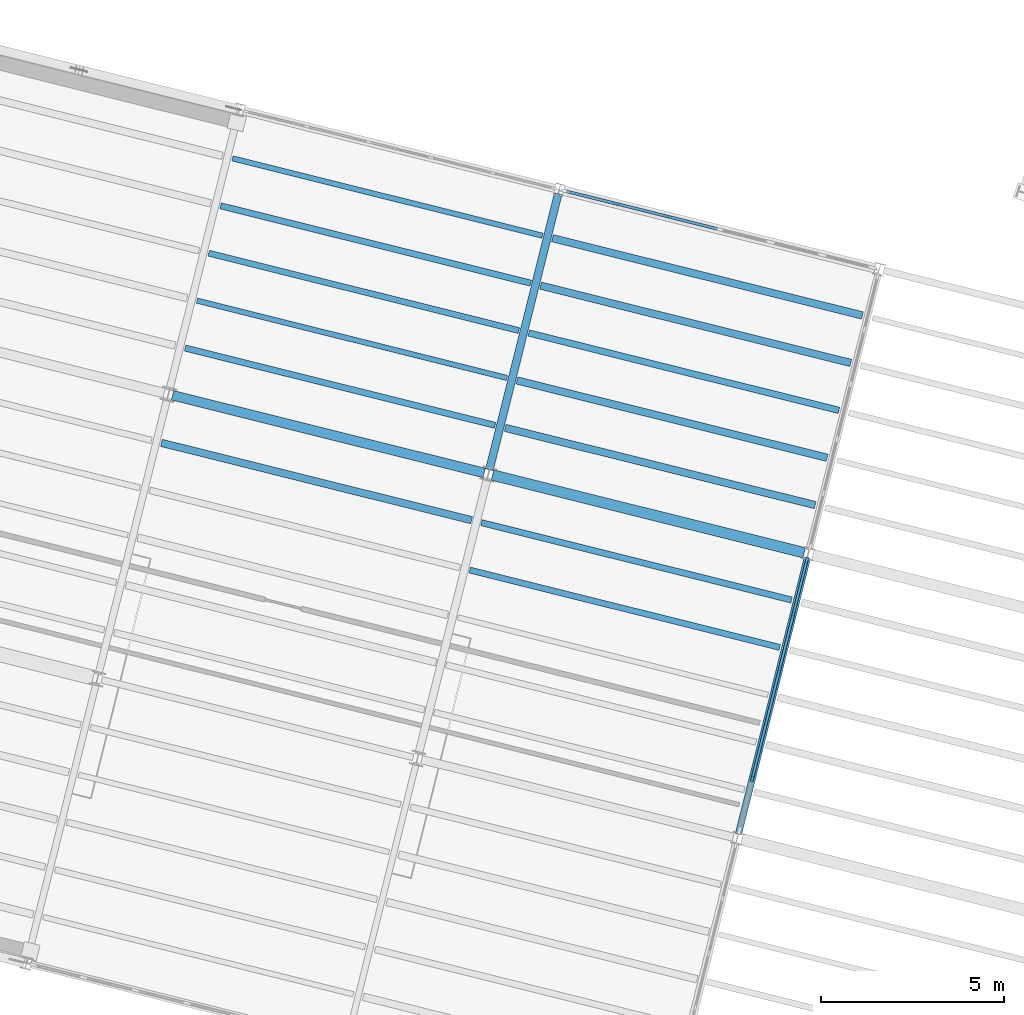
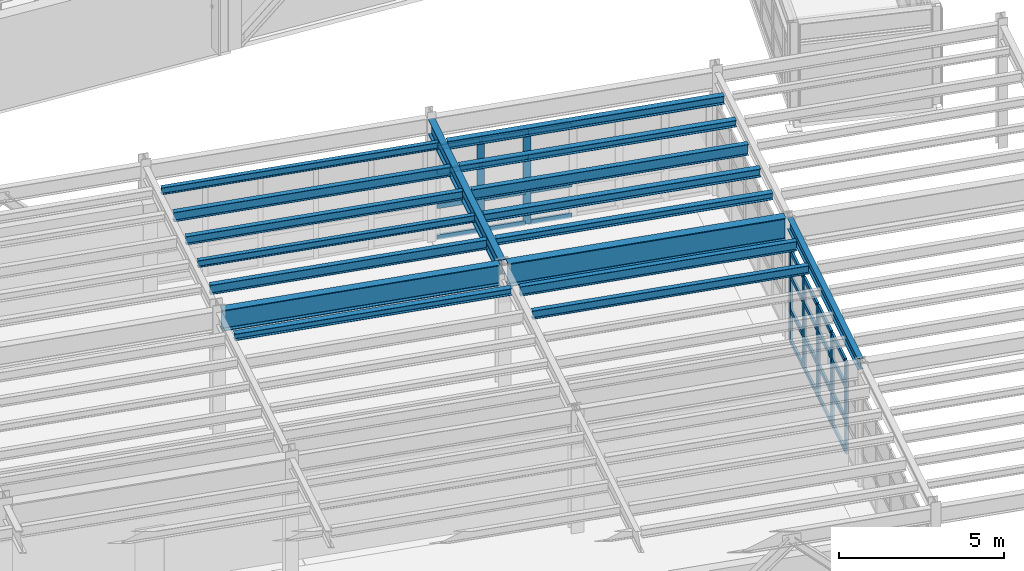
# One storey, part 31 of 102: 35 members, 17 beams, 2 elements without a shape of their own.
"""IFC4 building model written with IfcOpenShell, lengths in metres."""

from ifc_helpers import new_model, si_unit, direction, frame, origin, origin_2d, place, context, subcontext, project, spatial, rectangle, i_section, extrude, material, layer, layer_set, material_profile, profile_set, type_object, element, aggregate, save


model = new_model("IFC4")

# Units and contexts
model_context = context("Model", 3, precision=1e-05, world=origin(), true_north=direction((0.0, 1.0)))
body_context = subcontext(model_context, "Body", "Model", "MODEL_VIEW")
ifc_project = project(units=[si_unit("LENGTHUNIT", "METRE"), si_unit("AREAUNIT", "SQUARE_METRE"), si_unit("VOLUMEUNIT", "CUBIC_METRE"), si_unit("PLANEANGLEUNIT", "RADIAN"), si_unit("MASSUNIT", "GRAM", prefix="KILO")], contexts=[model_context])

# Site, building, storey
site_placement = place(None, origin())
site = spatial("IfcSite", under=ifc_project, at=site_placement, CompositionType="ELEMENT")
building_placement = place(site_placement, origin())
building = spatial("IfcBuilding", under=site, at=building_placement, Name="Vireo Bluff Cable Station", CompositionType="ELEMENT")
storey_placement = place(building_placement, frame((0.0, 0.0, 9.60009765625)))
storey = spatial("IfcBuildingStorey", under=building, at=storey_placement, Name="L02", CompositionType="ELEMENT", Elevation=9.60009765625)

# Beams
ifc_material_1 = material(Name="Steel ASTM A992 Gr. 50", Category="steel")
ifc_material_profile_1 = material_profile(ifc_material_1, i_section(OverallWidth=0.178955078125, OverallDepth=0.408935546875, WebThickness=0.0087890625, FlangeThickness=0.014404296875, FilletRadius=0.010009765625, at=origin_2d()), Name="W16X45")
ifc_profile_set_1 = profile_set([ifc_material_profile_1], Name="Steel ASTM A992 Gr. 50")
beam_type_1 = type_object("IfcBeamType", Name="BM-W16X45", PredefinedType="BEAM", material=ifc_profile_set_1)
beam_1_placement = place(storey_placement, frame((99.627685546875, 34.992431640625, 4.33544921875), z_axis=(0.241943352562, 0.970290376203, 0.0), x_axis=(-0.970290376203, 0.241943352562, 0.0)))
element("IfcBeam", 1, at=beam_1_placement, inside=storey, type_object=beam_type_1, Name="V1 L02 beam 185", PredefinedType="BEAM", context=body_context, shape_type="SweptSolid", body=[
    extrude(i_section(OverallWidth=0.178955078125, OverallDepth=0.408935546875, WebThickness=0.0087890625, FlangeThickness=0.014404296875, FilletRadius=0.010009765625, at=origin_2d()), origin(), (0.0, 0.0, 1.0), 7.759765625),
])
ifc_material_profile_2 = material_profile(ifc_material_1, i_section(OverallWidth=0.214111328125, OverallDepth=0.549072265625, WebThickness=0.0146484375, FlangeThickness=0.023681640625, FilletRadius=0.012939453125, at=origin_2d()), Name="W21X93")
ifc_profile_set_2 = profile_set([ifc_material_profile_2], Name="Steel ASTM A992 Gr. 50")
beam_type_2 = type_object("IfcBeamType", Name="BM-W21X93", PredefinedType="BEAM", material=ifc_profile_set_2)
beam_2_placement = place(storey_placement, frame((92.830322265625, 44.931884765625, 4.265380859375), z_axis=(0.241935966891, 0.970292217801, 0.0), x_axis=(-0.970292217801, 0.241935966891, 0.0)))
element("IfcBeam", 2, at=beam_2_placement, inside=storey, type_object=beam_type_2, Name="V1 L02 beam 183", PredefinedType="BEAM", context=body_context, shape_type="SweptSolid", body=[
    extrude(i_section(OverallWidth=0.214111328125, OverallDepth=0.549072265625, WebThickness=0.0146484375, FlangeThickness=0.023681640625, FilletRadius=0.012939453125, at=origin_2d()), origin(), (0.0, 0.0, 1.0), 7.760009765625),
])

# Curtain wall, members
ifc_material_2 = material(Name="Anodized Aluminium 6063-T6", Category="aluminium")
ifc_layer_1 = layer(ifc_material_2, 0.179931640625, Name="Anodized Aluminium 6063-T6")
ifc_layer_set_1 = layer_set([ifc_layer_1], Name="Anodized Aluminium 6063-T6")
curtain_wall_type_1 = type_object("IfcCurtainWallType", Name="CW-UNIT-1650", PredefinedType="USERDEFINED", material=ifc_layer_set_1)
curtain_wall_1_placement = place(storey_placement, origin())
curtain_wall_1 = element("IfcCurtainWall", 3, at=curtain_wall_1_placement, inside=storey, type_object=curtain_wall_type_1, Name="V1 L02 east curtain wall CW-017", ObjectType="UNITISED CURTAIN WALL", PredefinedType="USERDEFINED")
ifc_material_profile_3 = material_profile(ifc_material_2, rectangle(XDim=0.074951171875, YDim=0.2099609375, at=origin_2d()), Name="ALU-M-75X210")
ifc_profile_set_3 = profile_set([ifc_material_profile_3], Name="Anodized Aluminium 6063-T6")
member_type_1 = type_object("IfcMemberType", Name="CWM-02", PredefinedType="MULLION", material=ifc_profile_set_3)
member_1_placement = place(storey_placement, frame((101.4853515625, 42.443115234375, 0.0), z_axis=(0.0, 0.0, 1.0), x_axis=(0.970295732031, -0.241921872517, 0.0)))
member_1 = element("IfcMember", 4, at=member_1_placement, type_object=member_type_1, Name="CW-017 mullion 1", PredefinedType="MULLION", context=body_context, shape_type="SweptSolid", body=[
    extrude(rectangle(XDim=0.074951171875, YDim=0.2099609375, at=origin_2d()), origin(), (0.0, 0.0, 1.0), 3.39990234375),
])
member_2_placement = place(storey_placement, frame((101.12353515625, 40.991455078125, 0.0), z_axis=(0.0, 0.0, 1.0), x_axis=(0.970295732031, -0.241921872517, 0.0)))
member_2 = element("IfcMember", 5, at=member_2_placement, type_object=member_type_1, Name="CW-017 mullion 2", PredefinedType="MULLION", context=body_context, shape_type="SweptSolid", body=[
    extrude(rectangle(XDim=0.074951171875, YDim=0.2099609375, at=origin_2d()), origin(), (0.0, 0.0, 1.0), 3.39990234375),
])
member_3_placement = place(storey_placement, frame((100.75244140625, 39.50341796875, 0.0), z_axis=(0.0, 0.0, 1.0), x_axis=(0.970295732031, -0.241921872517, 0.0)))
member_3 = element("IfcMember", 6, at=member_3_placement, type_object=member_type_1, Name="CW-017 mullion 3", PredefinedType="MULLION", context=body_context, shape_type="SweptSolid", body=[
    extrude(rectangle(XDim=0.074951171875, YDim=0.2099609375, at=origin_2d()), origin(), (0.0, 0.0, 1.0), 3.39990234375),
])
member_4_placement = place(storey_placement, frame((100.381591796875, 38.015380859375, 0.0), z_axis=(0.0, 0.0, 1.0), x_axis=(0.970295732031, -0.241921872517, 0.0)))
member_4 = element("IfcMember", 7, at=member_4_placement, type_object=member_type_1, Name="CW-017 mullion 4", PredefinedType="MULLION", context=body_context, shape_type="SweptSolid", body=[
    extrude(rectangle(XDim=0.074951171875, YDim=0.2099609375, at=origin_2d()), origin(), (0.0, 0.0, 1.0), 3.39990234375),
])
member_5_placement = place(storey_placement, frame((100.010498046875, 36.52734375, 0.0), z_axis=(0.0, 0.0, 1.0), x_axis=(0.970295732031, -0.241921872517, 0.0)))
member_5 = element("IfcMember", 8, at=member_5_placement, type_object=member_type_1, Name="CW-017 mullion 5", PredefinedType="MULLION", context=body_context, shape_type="SweptSolid", body=[
    extrude(rectangle(XDim=0.074951171875, YDim=0.2099609375, at=origin_2d()), origin(), (0.0, 0.0, 1.0), 3.39990234375),
])

ifc_layer_2 = layer(ifc_material_2, 0.179931640625, Name="Anodized Aluminium 6063-T6")
ifc_layer_set_2 = layer_set([ifc_layer_2], Name="Anodized Aluminium 6063-T6")
curtain_wall_type_2 = type_object("IfcCurtainWallType", Name="CW-UNIT-1400", PredefinedType="USERDEFINED", material=ifc_layer_set_2)
curtain_wall_2_placement = place(storey_placement, origin())
curtain_wall_2 = element("IfcCurtainWall", 9, at=curtain_wall_2_placement, inside=storey, type_object=curtain_wall_type_2, Name="V1 L02 north curtain wall CW-015", ObjectType="UNITISED CURTAIN WALL", PredefinedType="USERDEFINED")
ifc_material_profile_4 = material_profile(ifc_material_2, rectangle(XDim=0.080078125, YDim=0.239990234375, at=origin_2d()), Name="ALU-M-80X240")
ifc_profile_set_4 = profile_set([ifc_material_profile_4], Name="Anodized Aluminium 6063-T6")
member_type_2 = type_object("IfcMemberType", Name="CWM-04", PredefinedType="MULLION", material=ifc_profile_set_4)
member_6_placement = place(storey_placement, frame((96.27099609375, 52.1953125, 0.0), z_axis=(0.0, 0.0, 1.0), x_axis=(0.241921853788, 0.970295736701, 0.0)))
member_6 = element("IfcMember", 10, at=member_6_placement, type_object=member_type_2, Name="CW-015 mullion 2", PredefinedType="MULLION", context=body_context, shape_type="SweptSolid", body=[
    extrude(rectangle(XDim=0.080078125, YDim=0.239990234375, at=origin_2d()), origin(), (0.0, 0.0, 1.0), 3.39990234375),
])
member_7_placement = place(storey_placement, frame((97.679931640625, 51.84423828125, 0.0), z_axis=(0.0, 0.0, 1.0), x_axis=(0.241921853788, 0.970295736701, 0.0)))
member_7 = element("IfcMember", 11, at=member_7_placement, type_object=member_type_2, Name="CW-015 mullion 3", PredefinedType="MULLION", context=body_context, shape_type="SweptSolid", body=[
    extrude(rectangle(XDim=0.080078125, YDim=0.239990234375, at=origin_2d()), origin(), (0.0, 0.0, 1.0), 3.39990234375),
])

# Member
ifc_material_profile_5 = material_profile(ifc_material_2, rectangle(XDim=0.074951171875, YDim=0.159912109375, at=origin_2d()), Name="ALU-T-75X160")
ifc_profile_set_5 = profile_set([ifc_material_profile_5], Name="Anodized Aluminium 6063-T6")
member_type_3 = type_object("IfcMemberType", Name="CWT-02", PredefinedType="USERDEFINED", material=ifc_profile_set_5)
member_8_placement = place(storey_placement, frame((101.476318359375, 42.40673828125, 0.037353515625), z_axis=(-0.241888809617, -0.970303974939, 0.0), x_axis=(0.970303974939, -0.241888809617, 0.0)))
member_8 = element("IfcMember", 12, at=member_8_placement, type_object=member_type_3, Name="CW-017 transom 1.1", ObjectType="TRANSOM", PredefinedType="USERDEFINED", context=body_context, shape_type="SweptSolid", body=[
    extrude(rectangle(XDim=0.074951171875, YDim=0.159912109375, at=origin_2d()), origin(), (0.0, 0.0, 1.0), 1.421142578125),
])

member_9_placement = place(storey_placement, frame((101.476318359375, 42.40673828125, 1.18994140625), z_axis=(-0.241888809617, -0.970303974939, 0.0), x_axis=(0.970303974939, -0.241888809617, 0.0)))
member_9 = element("IfcMember", 13, at=member_9_placement, type_object=member_type_3, Name="CW-017 transom 1.2", ObjectType="TRANSOM", PredefinedType="USERDEFINED", context=body_context, shape_type="SweptSolid", body=[
    extrude(rectangle(XDim=0.074951171875, YDim=0.159912109375, at=origin_2d()), origin(), (0.0, 0.0, 1.0), 1.421142578125),
])

member_10_placement = place(storey_placement, frame((101.476318359375, 42.40673828125, 2.447998046875), z_axis=(-0.241888809617, -0.970303974939, 0.0), x_axis=(0.970303974939, -0.241888809617, 0.0)))
member_10 = element("IfcMember", 14, at=member_10_placement, type_object=member_type_3, Name="CW-017 transom 1.3", ObjectType="TRANSOM", PredefinedType="USERDEFINED", context=body_context, shape_type="SweptSolid", body=[
    extrude(rectangle(XDim=0.074951171875, YDim=0.159912109375, at=origin_2d()), origin(), (0.0, 0.0, 1.0), 1.421142578125),
])

member_11_placement = place(storey_placement, frame((101.476318359375, 42.40673828125, 3.3623046875), z_axis=(-0.241888809617, -0.970303974939, 0.0), x_axis=(0.970303974939, -0.241888809617, 0.0)))
member_11 = element("IfcMember", 15, at=member_11_placement, type_object=member_type_3, Name="CW-017 transom 1.4", ObjectType="TRANSOM", PredefinedType="USERDEFINED", context=body_context, shape_type="SweptSolid", body=[
    extrude(rectangle(XDim=0.074951171875, YDim=0.159912109375, at=origin_2d()), origin(), (0.0, 0.0, 1.0), 1.421142578125),
])

member_12_placement = place(storey_placement, frame((101.114501953125, 40.955078125, 0.037353515625), z_axis=(-0.242023622004, -0.970270357371, 0.0), x_axis=(0.970270357371, -0.242023622004, 0.0)))
member_12 = element("IfcMember", 16, at=member_12_placement, type_object=member_type_3, Name="CW-017 transom 2.1", ObjectType="TRANSOM", PredefinedType="USERDEFINED", context=body_context, shape_type="SweptSolid", body=[
    extrude(rectangle(XDim=0.074951171875, YDim=0.159912109375, at=origin_2d()), origin(), (0.0, 0.0, 1.0), 1.458740234375),
])

member_13_placement = place(storey_placement, frame((101.114501953125, 40.955078125, 1.18994140625), z_axis=(-0.242023622004, -0.970270357371, 0.0), x_axis=(0.970270357371, -0.242023622004, 0.0)))
member_13 = element("IfcMember", 17, at=member_13_placement, type_object=member_type_3, Name="CW-017 transom 2.2", ObjectType="TRANSOM", PredefinedType="USERDEFINED", context=body_context, shape_type="SweptSolid", body=[
    extrude(rectangle(XDim=0.074951171875, YDim=0.159912109375, at=origin_2d()), origin(), (0.0, 0.0, 1.0), 1.458740234375),
])

member_14_placement = place(storey_placement, frame((101.114501953125, 40.955078125, 2.447998046875), z_axis=(-0.242023622004, -0.970270357371, 0.0), x_axis=(0.970270357371, -0.242023622004, 0.0)))
member_14 = element("IfcMember", 18, at=member_14_placement, type_object=member_type_3, Name="CW-017 transom 2.3", ObjectType="TRANSOM", PredefinedType="USERDEFINED", context=body_context, shape_type="SweptSolid", body=[
    extrude(rectangle(XDim=0.074951171875, YDim=0.159912109375, at=origin_2d()), origin(), (0.0, 0.0, 1.0), 1.458740234375),
])

member_15_placement = place(storey_placement, frame((101.114501953125, 40.955078125, 3.3623046875), z_axis=(-0.242023622004, -0.970270357371, 0.0), x_axis=(0.970270357371, -0.242023622004, 0.0)))
member_15 = element("IfcMember", 19, at=member_15_placement, type_object=member_type_3, Name="CW-017 transom 2.4", ObjectType="TRANSOM", PredefinedType="USERDEFINED", context=body_context, shape_type="SweptSolid", body=[
    extrude(rectangle(XDim=0.074951171875, YDim=0.159912109375, at=origin_2d()), origin(), (0.0, 0.0, 1.0), 1.458740234375),
])

member_16_placement = place(storey_placement, frame((100.743408203125, 39.467041015625, 0.037353515625), z_axis=(-0.241866041903, -0.970309650459, 0.0), x_axis=(0.970309650459, -0.241866041903, 0.0)))
member_16 = element("IfcMember", 20, at=member_16_placement, type_object=member_type_3, Name="CW-017 transom 3.1", ObjectType="TRANSOM", PredefinedType="USERDEFINED", context=body_context, shape_type="SweptSolid", body=[
    extrude(rectangle(XDim=0.074951171875, YDim=0.159912109375, at=origin_2d()), origin(), (0.0, 0.0, 1.0), 1.45849609375),
])

member_17_placement = place(storey_placement, frame((100.743408203125, 39.467041015625, 1.18994140625), z_axis=(-0.241866041903, -0.970309650459, 0.0), x_axis=(0.970309650459, -0.241866041903, 0.0)))
member_17 = element("IfcMember", 21, at=member_17_placement, type_object=member_type_3, Name="CW-017 transom 3.2", ObjectType="TRANSOM", PredefinedType="USERDEFINED", context=body_context, shape_type="SweptSolid", body=[
    extrude(rectangle(XDim=0.074951171875, YDim=0.159912109375, at=origin_2d()), origin(), (0.0, 0.0, 1.0), 1.45849609375),
])

member_18_placement = place(storey_placement, frame((100.743408203125, 39.467041015625, 2.447998046875), z_axis=(-0.241866041903, -0.970309650459, 0.0), x_axis=(0.970309650459, -0.241866041903, 0.0)))
member_18 = element("IfcMember", 22, at=member_18_placement, type_object=member_type_3, Name="CW-017 transom 3.3", ObjectType="TRANSOM", PredefinedType="USERDEFINED", context=body_context, shape_type="SweptSolid", body=[
    extrude(rectangle(XDim=0.074951171875, YDim=0.159912109375, at=origin_2d()), origin(), (0.0, 0.0, 1.0), 1.45849609375),
])

member_19_placement = place(storey_placement, frame((100.743408203125, 39.467041015625, 3.3623046875), z_axis=(-0.241866041903, -0.970309650459, 0.0), x_axis=(0.970309650459, -0.241866041903, 0.0)))
member_19 = element("IfcMember", 23, at=member_19_placement, type_object=member_type_3, Name="CW-017 transom 3.4", ObjectType="TRANSOM", PredefinedType="USERDEFINED", context=body_context, shape_type="SweptSolid", body=[
    extrude(rectangle(XDim=0.074951171875, YDim=0.159912109375, at=origin_2d()), origin(), (0.0, 0.0, 1.0), 1.45849609375),
])

member_20_placement = place(storey_placement, frame((100.372314453125, 37.97900390625, 0.037353515625), z_axis=(-0.241866041903, -0.970309650459, 0.0), x_axis=(0.970309650459, -0.241866041903, 0.0)))
member_20 = element("IfcMember", 24, at=member_20_placement, type_object=member_type_3, Name="CW-017 transom 4.1", ObjectType="TRANSOM", PredefinedType="USERDEFINED", context=body_context, shape_type="SweptSolid", body=[
    extrude(rectangle(XDim=0.074951171875, YDim=0.159912109375, at=origin_2d()), origin(), (0.0, 0.0, 1.0), 1.45849609375),
])

member_21_placement = place(storey_placement, frame((100.372314453125, 37.97900390625, 1.18994140625), z_axis=(-0.241866041903, -0.970309650459, 0.0), x_axis=(0.970309650459, -0.241866041903, 0.0)))
member_21 = element("IfcMember", 25, at=member_21_placement, type_object=member_type_3, Name="CW-017 transom 4.2", ObjectType="TRANSOM", PredefinedType="USERDEFINED", context=body_context, shape_type="SweptSolid", body=[
    extrude(rectangle(XDim=0.074951171875, YDim=0.159912109375, at=origin_2d()), origin(), (0.0, 0.0, 1.0), 1.45849609375),
])

member_22_placement = place(storey_placement, frame((100.372314453125, 37.97900390625, 2.447998046875), z_axis=(-0.241866041903, -0.970309650459, 0.0), x_axis=(0.970309650459, -0.241866041903, 0.0)))
member_22 = element("IfcMember", 26, at=member_22_placement, type_object=member_type_3, Name="CW-017 transom 4.3", ObjectType="TRANSOM", PredefinedType="USERDEFINED", context=body_context, shape_type="SweptSolid", body=[
    extrude(rectangle(XDim=0.074951171875, YDim=0.159912109375, at=origin_2d()), origin(), (0.0, 0.0, 1.0), 1.45849609375),
])

member_23_placement = place(storey_placement, frame((100.372314453125, 37.97900390625, 3.3623046875), z_axis=(-0.241866041903, -0.970309650459, 0.0), x_axis=(0.970309650459, -0.241866041903, 0.0)))
member_23 = element("IfcMember", 27, at=member_23_placement, type_object=member_type_3, Name="CW-017 transom 4.4", ObjectType="TRANSOM", PredefinedType="USERDEFINED", context=body_context, shape_type="SweptSolid", body=[
    extrude(rectangle(XDim=0.074951171875, YDim=0.159912109375, at=origin_2d()), origin(), (0.0, 0.0, 1.0), 1.45849609375),
])

aggregate(curtain_wall_1, [member_1, member_2, member_3, member_4, member_5, member_8, member_9, member_10, member_11, member_12, member_13, member_14, member_15, member_16, member_17, member_18, member_19, member_20, member_21, member_22, member_23])

ifc_material_profile_6 = material_profile(ifc_material_2, rectangle(XDim=0.080078125, YDim=0.175048828125, at=origin_2d()), Name="ALU-T-80X175")
ifc_profile_set_6 = profile_set([ifc_material_profile_6], Name="Anodized Aluminium 6063-T6")
member_type_4 = type_object("IfcMemberType", Name="CWT-04", PredefinedType="USERDEFINED", material=ifc_profile_set_6)
member_24_placement = place(storey_placement, frame((94.939453125, 52.52734375, 0.039794921875), z_axis=(0.970303974939, -0.241888809617, 0.0), x_axis=(0.241888809617, 0.970303974939, 0.0)))
member_24 = element("IfcMember", 28, at=member_24_placement, type_object=member_type_4, Name="CW-015 transom 1.1", ObjectType="TRANSOM", PredefinedType="USERDEFINED", context=body_context, shape_type="SweptSolid", body=[
    extrude(rectangle(XDim=0.080078125, YDim=0.175048828125, at=origin_2d()), origin(), (0.0, 0.0, 1.0), 1.332275390625),
])

member_25_placement = place(storey_placement, frame((94.939453125, 52.52734375, 1.18994140625), z_axis=(0.970303974939, -0.241888809617, 0.0), x_axis=(0.241888809617, 0.970303974939, 0.0)))
member_25 = element("IfcMember", 29, at=member_25_placement, type_object=member_type_4, Name="CW-015 transom 1.2", ObjectType="TRANSOM", PredefinedType="USERDEFINED", context=body_context, shape_type="SweptSolid", body=[
    extrude(rectangle(XDim=0.080078125, YDim=0.175048828125, at=origin_2d()), origin(), (0.0, 0.0, 1.0), 1.332275390625),
])

member_26_placement = place(storey_placement, frame((94.939453125, 52.52734375, 2.447998046875), z_axis=(0.970303974939, -0.241888809617, 0.0), x_axis=(0.241888809617, 0.970303974939, 0.0)))
member_26 = element("IfcMember", 30, at=member_26_placement, type_object=member_type_4, Name="CW-015 transom 1.3", ObjectType="TRANSOM", PredefinedType="USERDEFINED", context=body_context, shape_type="SweptSolid", body=[
    extrude(rectangle(XDim=0.080078125, YDim=0.175048828125, at=origin_2d()), origin(), (0.0, 0.0, 1.0), 1.332275390625),
])

member_27_placement = place(storey_placement, frame((94.939453125, 52.52734375, 3.35986328125), z_axis=(0.970303974939, -0.241888809617, 0.0), x_axis=(0.241888809617, 0.970303974939, 0.0)))
member_27 = element("IfcMember", 31, at=member_27_placement, type_object=member_type_4, Name="CW-015 transom 1.4", ObjectType="TRANSOM", PredefinedType="USERDEFINED", context=body_context, shape_type="SweptSolid", body=[
    extrude(rectangle(XDim=0.080078125, YDim=0.175048828125, at=origin_2d()), origin(), (0.0, 0.0, 1.0), 1.332275390625),
])

member_28_placement = place(storey_placement, frame((96.309814453125, 52.185791015625, 0.039794921875), z_axis=(0.970278415253, -0.241991315742, 0.0), x_axis=(0.241991315742, 0.970278415253, 0.0)))
member_28 = element("IfcMember", 32, at=member_28_placement, type_object=member_type_4, Name="CW-015 transom 2.1", ObjectType="TRANSOM", PredefinedType="USERDEFINED", context=body_context, shape_type="SweptSolid", body=[
    extrude(rectangle(XDim=0.080078125, YDim=0.175048828125, at=origin_2d()), origin(), (0.0, 0.0, 1.0), 1.3720703125),
])

member_29_placement = place(storey_placement, frame((96.309814453125, 52.185791015625, 1.18994140625), z_axis=(0.970278415253, -0.241991315742, 0.0), x_axis=(0.241991315742, 0.970278415253, 0.0)))
member_29 = element("IfcMember", 33, at=member_29_placement, type_object=member_type_4, Name="CW-015 transom 2.2", ObjectType="TRANSOM", PredefinedType="USERDEFINED", context=body_context, shape_type="SweptSolid", body=[
    extrude(rectangle(XDim=0.080078125, YDim=0.175048828125, at=origin_2d()), origin(), (0.0, 0.0, 1.0), 1.3720703125),
])

member_30_placement = place(storey_placement, frame((96.309814453125, 52.185791015625, 2.447998046875), z_axis=(0.970278415253, -0.241991315742, 0.0), x_axis=(0.241991315742, 0.970278415253, 0.0)))
member_30 = element("IfcMember", 34, at=member_30_placement, type_object=member_type_4, Name="CW-015 transom 2.3", ObjectType="TRANSOM", PredefinedType="USERDEFINED", context=body_context, shape_type="SweptSolid", body=[
    extrude(rectangle(XDim=0.080078125, YDim=0.175048828125, at=origin_2d()), origin(), (0.0, 0.0, 1.0), 1.3720703125),
])

member_31_placement = place(storey_placement, frame((96.309814453125, 52.185791015625, 3.35986328125), z_axis=(0.970278415253, -0.241991315742, 0.0), x_axis=(0.241991315742, 0.970278415253, 0.0)))
member_31 = element("IfcMember", 35, at=member_31_placement, type_object=member_type_4, Name="CW-015 transom 2.4", ObjectType="TRANSOM", PredefinedType="USERDEFINED", context=body_context, shape_type="SweptSolid", body=[
    extrude(rectangle(XDim=0.080078125, YDim=0.175048828125, at=origin_2d()), origin(), (0.0, 0.0, 1.0), 1.3720703125),
])

member_32_placement = place(storey_placement, frame((97.71875, 51.83447265625, 0.039794921875), z_axis=(0.970278415253, -0.241991315742, 0.0), x_axis=(0.241991315742, 0.970278415253, 0.0)))
member_32 = element("IfcMember", 36, at=member_32_placement, type_object=member_type_4, Name="CW-015 transom 3.1", ObjectType="TRANSOM", PredefinedType="USERDEFINED", context=body_context, shape_type="SweptSolid", body=[
    extrude(rectangle(XDim=0.080078125, YDim=0.175048828125, at=origin_2d()), origin(), (0.0, 0.0, 1.0), 1.3720703125),
])

member_33_placement = place(storey_placement, frame((97.71875, 51.83447265625, 1.18994140625), z_axis=(0.970278415253, -0.241991315742, 0.0), x_axis=(0.241991315742, 0.970278415253, 0.0)))
member_33 = element("IfcMember", 37, at=member_33_placement, type_object=member_type_4, Name="CW-015 transom 3.2", ObjectType="TRANSOM", PredefinedType="USERDEFINED", context=body_context, shape_type="SweptSolid", body=[
    extrude(rectangle(XDim=0.080078125, YDim=0.175048828125, at=origin_2d()), origin(), (0.0, 0.0, 1.0), 1.3720703125),
])

member_34_placement = place(storey_placement, frame((97.71875, 51.83447265625, 2.447998046875), z_axis=(0.970278415253, -0.241991315742, 0.0), x_axis=(0.241991315742, 0.970278415253, 0.0)))
member_34 = element("IfcMember", 38, at=member_34_placement, type_object=member_type_4, Name="CW-015 transom 3.3", ObjectType="TRANSOM", PredefinedType="USERDEFINED", context=body_context, shape_type="SweptSolid", body=[
    extrude(rectangle(XDim=0.080078125, YDim=0.175048828125, at=origin_2d()), origin(), (0.0, 0.0, 1.0), 1.3720703125),
])

member_35_placement = place(storey_placement, frame((97.71875, 51.83447265625, 3.35986328125), z_axis=(0.970278415253, -0.241991315742, 0.0), x_axis=(0.241991315742, 0.970278415253, 0.0)))
member_35 = element("IfcMember", 39, at=member_35_placement, type_object=member_type_4, Name="CW-015 transom 3.4", ObjectType="TRANSOM", PredefinedType="USERDEFINED", context=body_context, shape_type="SweptSolid", body=[
    extrude(rectangle(XDim=0.080078125, YDim=0.175048828125, at=origin_2d()), origin(), (0.0, 0.0, 1.0), 1.3720703125),
])

aggregate(curtain_wall_2, [member_6, member_7, member_24, member_25, member_26, member_27, member_28, member_29, member_30, member_31, member_32, member_33, member_34, member_35])

# Beams
ifc_material_profile_7 = material_profile(ifc_material_1, i_section(OverallWidth=0.26708984375, OverallDepth=0.77001953125, WebThickness=0.015625, FlangeThickness=0.025390625, FilletRadius=0.01611328125, at=origin_2d()), Name="W30X132")
ifc_profile_set_7 = profile_set([ifc_material_profile_7], Name="Steel ASTM A992 Gr. 50")
beam_type_3 = type_object("IfcBeamType", Name="GIR-W30X132", PredefinedType="USERDEFINED", material=ifc_profile_set_7)
beam_3_placement = place(storey_placement, frame((84.18505859375, 46.9638671875, 4.15478515625), z_axis=(0.970293133976, -0.24193229251, 0.0), x_axis=(0.24193229251, 0.970293133976, 0.0)))
element("IfcBeam", 40, at=beam_3_placement, inside=storey, type_object=beam_type_3, Name="V1 L02 girder 160", ObjectType="GIRDER", PredefinedType="USERDEFINED", context=body_context, shape_type="SweptSolid", body=[
    extrude(i_section(OverallWidth=0.26708984375, OverallDepth=0.77001953125, WebThickness=0.015625, FlangeThickness=0.025390625, FilletRadius=0.01611328125, at=origin_2d()), origin(), (0.0, 0.0, 1.0), 8.76025390625),
])
ifc_material_profile_8 = material_profile(ifc_material_1, i_section(OverallWidth=0.2919921875, OverallDepth=0.85888671875, WebThickness=0.01708984375, FlangeThickness=0.031005859375, FilletRadius=0.01806640625, at=origin_2d()), Name="W33X169")
ifc_profile_set_8 = profile_set([ifc_material_profile_8], Name="Steel ASTM A992 Gr. 50")
beam_type_4 = type_object("IfcBeamType", Name="GIR-W33X169", PredefinedType="USERDEFINED", material=ifc_profile_set_8)
beam_4_placement = place(storey_placement, frame((92.917724609375, 44.78662109375, 4.1103515625), z_axis=(0.970293133976, -0.24193229251, 0.0), x_axis=(0.24193229251, 0.970293133976, 0.0)))
element("IfcBeam", 41, at=beam_4_placement, inside=storey, type_object=beam_type_4, Name="V1 L02 girder 161", ObjectType="GIRDER", PredefinedType="USERDEFINED", context=body_context, shape_type="SweptSolid", body=[
    extrude(i_section(OverallWidth=0.2919921875, OverallDepth=0.85888671875, WebThickness=0.01708984375, FlangeThickness=0.031005859375, FilletRadius=0.01806640625, at=origin_2d()), origin(), (0.0, 0.0, 1.0), 8.76025390625),
])
ifc_material_profile_9 = material_profile(ifc_material_1, i_section(OverallWidth=0.14599609375, OverallDepth=0.259033203125, WebThickness=0.006103515625, FlangeThickness=0.009033203125, FilletRadius=0.009033203125, at=origin_2d()), Name="W10X22")
ifc_profile_set_9 = profile_set([ifc_material_profile_9], Name="Steel ASTM A992 Gr. 50")
beam_type_5 = type_object("IfcBeamType", Name="JST-W10X22", PredefinedType="JOIST", material=ifc_profile_set_9)
beam_5_placement = place(storey_placement, frame((84.849609375, 49.54638671875, 4.410400390625), z_axis=(0.970295467306, -0.24192293427, 0.0), x_axis=(0.24192293427, 0.970295467306, 0.0)))
element("IfcBeam", 42, at=beam_5_placement, inside=storey, type_object=beam_type_5, Name="V1 L02 composite joist 238", PredefinedType="JOIST", context=body_context, shape_type="SweptSolid", body=[
    extrude(i_section(OverallWidth=0.14599609375, OverallDepth=0.259033203125, WebThickness=0.006103515625, FlangeThickness=0.009033203125, FilletRadius=0.009033203125, at=origin_2d()), origin(), (0.0, 0.0, 1.0), 8.72021484375),
])
beam_6_placement = place(storey_placement, frame((85.8173828125, 53.427490234375, 4.410400390625), z_axis=(0.970300400641, -0.241903146974, 0.0), x_axis=(0.241903146974, 0.970300400641, 0.0)))
element("IfcBeam", 43, at=beam_6_placement, inside=storey, type_object=beam_type_5, Name="V1 L02 composite joist 241", PredefinedType="JOIST", context=body_context, shape_type="SweptSolid", body=[
    extrude(i_section(OverallWidth=0.14599609375, OverallDepth=0.259033203125, WebThickness=0.006103515625, FlangeThickness=0.009033203125, FilletRadius=0.009033203125, at=origin_2d()), origin(), (0.0, 0.0, 1.0), 8.719970703125),
])
ifc_material_profile_10 = material_profile(ifc_material_1, i_section(OverallWidth=0.201904296875, OverallDepth=0.2470703125, WebThickness=0.00732421875, FlangeThickness=0.010986328125, FilletRadius=0.009033203125, at=origin_2d()), Name="W10X33")
ifc_profile_set_10 = profile_set([ifc_material_profile_10], Name="Steel ASTM A992 Gr. 50")
beam_type_6 = type_object("IfcBeamType", Name="JST-W10X33", PredefinedType="JOIST", material=ifc_profile_set_10)
for number, where, z_axis, x_axis, name in (
    (44, (83.882080078125, 45.665283203125, 4.41650390625), (0.970293828661, -0.24192950639, 0.0), (0.24192950639, 0.970293828661, 0.0), "V1 L02 composite joist 236"),
    (45, (93.259765625, 46.075439453125, 4.41650390625), (0.970293828661, -0.24192950639, 0.0), (0.24192950639, 0.970293828661, 0.0), "V1 L02 composite joist 252"),
    (46, (94.2275390625, 49.95654296875, 4.41650390625), (0.970293828661, -0.24192950639, 0.0), (0.24192950639, 0.970293828661, 0.0), "V1 L02 composite joist 255"),
):
    element("IfcBeam", number, at=place(storey_placement, frame(where, z_axis=z_axis, x_axis=x_axis)), inside=storey, type_object=beam_type_6, Name=name, PredefinedType="JOIST", context=body_context, shape_type="SweptSolid", body=[
        extrude(i_section(OverallWidth=0.201904296875, OverallDepth=0.2470703125, WebThickness=0.00732421875, FlangeThickness=0.010986328125, FilletRadius=0.009033203125, at=origin_2d()), origin(), (0.0, 0.0, 1.0), 8.719970703125),
    ])
ifc_material_profile_11 = material_profile(ifc_material_1, i_section(OverallWidth=0.1650390625, OverallDepth=0.31005859375, WebThickness=0.005859375, FlangeThickness=0.009765625, FilletRadius=0.010009765625, at=origin_2d()), Name="W12X26")
ifc_profile_set_11 = profile_set([ifc_material_profile_11], Name="Steel ASTM A992 Gr. 50")
beam_type_7 = type_object("IfcBeamType", Name="JST-W12X26", PredefinedType="JOIST", material=ifc_profile_set_11)
beam_7_placement = place(storey_placement, frame((85.17236328125, 50.840087890625, 4.385009765625), z_axis=(0.970300400641, -0.241903146974, 0.0), x_axis=(0.241903146974, 0.970300400641, 0.0)))
element("IfcBeam", 47, at=beam_7_placement, inside=storey, type_object=beam_type_7, Name="V1 L02 composite joist 239", PredefinedType="JOIST", context=body_context, shape_type="SweptSolid", body=[
    extrude(i_section(OverallWidth=0.1650390625, OverallDepth=0.31005859375, WebThickness=0.005859375, FlangeThickness=0.009765625, FilletRadius=0.010009765625, at=origin_2d()), origin(), (0.0, 0.0, 1.0), 8.719970703125),
])
beam_8_placement = place(storey_placement, frame((92.2919921875, 42.1943359375, 4.385009765625), z_axis=(0.970295467306, -0.24192293427, 0.0), x_axis=(0.24192293427, 0.970295467306, 0.0)))
element("IfcBeam", 48, at=beam_8_placement, inside=storey, type_object=beam_type_7, Name="V1 L02 composite joist 250", PredefinedType="JOIST", context=body_context, shape_type="SweptSolid", body=[
    extrude(i_section(OverallWidth=0.1650390625, OverallDepth=0.31005859375, WebThickness=0.005859375, FlangeThickness=0.009765625, FilletRadius=0.010009765625, at=origin_2d()), origin(), (0.0, 0.0, 1.0), 8.72021484375),
])
ifc_material_profile_12 = material_profile(ifc_material_1, i_section(OverallWidth=0.202880859375, OverallDepth=0.302978515625, WebThickness=0.007568359375, FlangeThickness=0.01318359375, FilletRadius=0.010009765625, at=origin_2d()), Name="W12X40")
ifc_profile_set_12 = profile_set([ifc_material_profile_12], Name="Steel ASTM A992 Gr. 50")
beam_type_8 = type_object("IfcBeamType", Name="JST-W12X40", PredefinedType="JOIST", material=ifc_profile_set_12)
beam_9_placement = place(storey_placement, frame((93.582275390625, 47.369140625, 4.388427734375), z_axis=(0.970295467306, -0.24192293427, 0.0), x_axis=(0.24192293427, 0.970295467306, 0.0)))
element("IfcBeam", 49, at=beam_9_placement, inside=storey, type_object=beam_type_8, Name="V1 L02 composite joist 253", PredefinedType="JOIST", context=body_context, shape_type="SweptSolid", body=[
    extrude(i_section(OverallWidth=0.202880859375, OverallDepth=0.302978515625, WebThickness=0.007568359375, FlangeThickness=0.01318359375, FilletRadius=0.010009765625, at=origin_2d()), origin(), (0.0, 0.0, 1.0), 8.72021484375),
])
beam_10_placement = place(storey_placement, frame((94.550048828125, 51.250244140625, 4.388427734375), z_axis=(0.970300400641, -0.241903146974, 0.0), x_axis=(0.241903146974, 0.970300400641, 0.0)))
element("IfcBeam", 50, at=beam_10_placement, inside=storey, type_object=beam_type_8, Name="V1 L02 composite joist 256", PredefinedType="JOIST", context=body_context, shape_type="SweptSolid", body=[
    extrude(i_section(OverallWidth=0.202880859375, OverallDepth=0.302978515625, WebThickness=0.007568359375, FlangeThickness=0.01318359375, FilletRadius=0.010009765625, at=origin_2d()), origin(), (0.0, 0.0, 1.0), 8.719970703125),
])
ifc_material_profile_13 = material_profile(ifc_material_1, i_section(OverallWidth=0.1708984375, OverallDepth=0.35107421875, WebThickness=0.0068359375, FlangeThickness=0.009765625, FilletRadius=0.010009765625, at=origin_2d()), Name="W14X30")
ifc_profile_set_13 = profile_set([ifc_material_profile_13], Name="Steel ASTM A992 Gr. 50")
beam_type_9 = type_object("IfcBeamType", Name="JST-W14X30", PredefinedType="JOIST", material=ifc_profile_set_13)
for number, where, z_axis, x_axis, name in (
    (51, (84.527099609375, 48.252685546875, 4.364501953125), (0.970293828661, -0.24192950639, 0.0), (0.24192950639, 0.970293828661, 0.0), "V1 L02 composite joist 237"),
    (52, (85.494873046875, 52.1337890625, 4.364501953125), (0.970300400641, -0.241903146974, 0.0), (0.241903146974, 0.970300400641, 0.0), "V1 L02 composite joist 240"),
    (53, (92.61474609375, 43.488037109375, 4.364501953125), (0.970293828661, -0.24192950639, 0.0), (0.24192950639, 0.970293828661, 0.0), "V1 L02 composite joist 251"),
):
    element("IfcBeam", number, at=place(storey_placement, frame(where, z_axis=z_axis, x_axis=x_axis)), inside=storey, type_object=beam_type_9, Name=name, PredefinedType="JOIST", context=body_context, shape_type="SweptSolid", body=[
        extrude(i_section(OverallWidth=0.1708984375, OverallDepth=0.35107421875, WebThickness=0.0068359375, FlangeThickness=0.009765625, FilletRadius=0.010009765625, at=origin_2d()), origin(), (0.0, 0.0, 1.0), 8.719970703125),
    ])
ifc_material_profile_14 = material_profile(ifc_material_1, i_section(OverallWidth=0.177978515625, OverallDepth=0.404052734375, WebThickness=0.007568359375, FlangeThickness=0.010986328125, FilletRadius=0.010009765625, at=origin_2d()), Name="W16X36")
ifc_profile_set_14 = profile_set([ifc_material_profile_14], Name="Steel ASTM A992 Gr. 50")
beam_type_10 = type_object("IfcBeamType", Name="JST-W16X36", PredefinedType="JOIST", material=ifc_profile_set_14)
beam_11_placement = place(storey_placement, frame((93.905029296875, 48.662841796875, 4.337890625), z_axis=(0.970293828661, -0.24192950639, 0.0), x_axis=(0.24192950639, 0.970293828661, 0.0)))
element("IfcBeam", 54, at=beam_11_placement, inside=storey, type_object=beam_type_10, Name="V1 L02 composite joist 254", PredefinedType="JOIST", context=body_context, shape_type="SweptSolid", body=[
    extrude(i_section(OverallWidth=0.177978515625, OverallDepth=0.404052734375, WebThickness=0.007568359375, FlangeThickness=0.010986328125, FilletRadius=0.010009765625, at=origin_2d()), origin(), (0.0, 0.0, 1.0), 8.719970703125),
])

save(model, "model.ifc")
